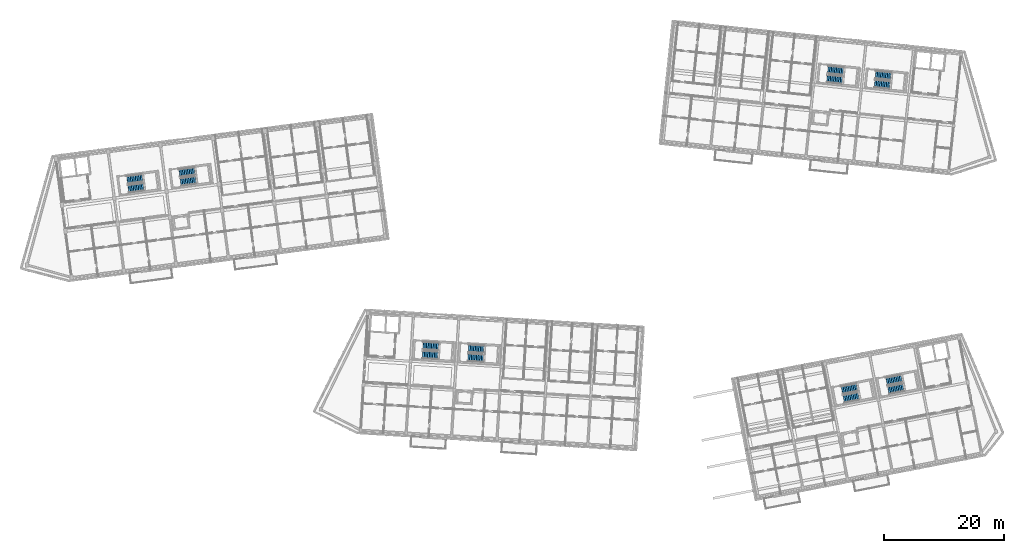
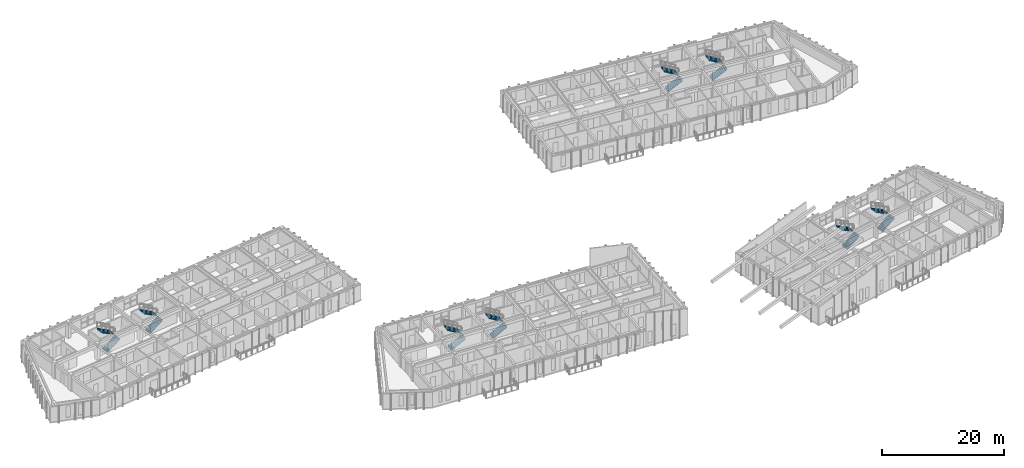
# One storey, part 38 of 64: 16 stair flights, 8 elements without a shape of their own.
"""IFC4 building model written with IfcOpenShell, lengths in metres."""

from ifc_helpers import new_model, si_unit, direction, frame, origin, place, context, subcontext, project, spatial, polyline, outline, extrude, material, type_object, element, aggregate, save


model = new_model("IFC4")

# Units and contexts
model_context = context("Model", 3, precision=1e-05, world=origin(), true_north=direction((0.0, 1.0)))
body_context = subcontext(model_context, "Body", "Model", "MODEL_VIEW")
ifc_project = project(units=[si_unit("LENGTHUNIT", "METRE"), si_unit("AREAUNIT", "SQUARE_METRE"), si_unit("VOLUMEUNIT", "CUBIC_METRE"), si_unit("PLANEANGLEUNIT", "RADIAN"), si_unit("MASSUNIT", "GRAM", prefix="KILO")], contexts=[model_context])

# Site, building, storey
site_placement = place(None, origin())
site = spatial("IfcSite", under=ifc_project, at=site_placement, CompositionType="ELEMENT")
building_placement = place(site_placement, origin())
building = spatial("IfcBuilding", under=site, at=building_placement, Name="Kestramere Prow Commons", CompositionType="ELEMENT")
storey_placement = place(building_placement, frame((0.0, 0.0, 24.64990234375)))
storey = spatial("IfcBuildingStorey", under=building, at=storey_placement, Name="L07", CompositionType="ELEMENT", Elevation=24.64990234375)

# Stair, stair flights
ifc_material = material(Name="Concrete C40/50", Category="concrete")
stair_type = type_object("IfcStairType", Name="ST-DOG-1350", PredefinedType="HALF_TURN_STAIR", material=ifc_material)
stair_1_placement = place(storey_placement, origin())
stair_1 = element("IfcStair", 1, at=stair_1_placement, inside=storey, type_object=stair_type, Name="L07 Block A Exit Stair 1", PredefinedType="HALF_TURN_STAIR")
stair_flight_type = type_object("IfcStairFlightType", Name="SFL-1350", PredefinedType="STRAIGHT", material=ifc_material)
stair_flight_1_placement = place(storey_placement, frame((20.70068359375, 86.79150390625, 0.0), z_axis=(0.0, 0.0, 1.0), x_axis=(0.991444861374, 0.13052619222, 0.0)))
stair_flight_1 = element("IfcStairFlight", 2, at=stair_flight_1_placement, type_object=stair_flight_type, Name="ST-A1 flight 1", NumberOfRisers=10, NumberOfTreads=9, PredefinedType="STRAIGHT", RiserHeight=0.1625, TreadLength=0.28, context=body_context, shape_type="SweptSolid", body=[
    extrude(outline(polyline([(-0.02490234375, 0.0), (0.0, 0.0), (0.0, 0.16259765625), (0.280029296875, 0.16259765625), (0.280029296875, 0.324951171875), (0.56005859375, 0.324951171875), (0.56005859375, 0.487548828125), (0.840087890625, 0.487548828125), (0.840087890625, 0.64990234375), (1.1201171875, 0.64990234375), (1.1201171875, 0.8125), (1.39990234375, 0.8125), (1.39990234375, 0.97509765625), (1.679931640625, 0.97509765625), (1.679931640625, 1.137451171875), (1.9599609375, 1.137451171875), (1.9599609375, 1.300048828125), (2.239990234375, 1.300048828125), (2.239990234375, 1.46240234375), (2.52001953125, 1.46240234375), (2.52001953125, 1.625), (2.544921875, 1.625), (2.544921875, 1.2890625), (0.0, -0.14990234375), (-0.02490234375, -0.14990234375), (-0.02490234375, 0.0)])), frame((0.0, 0.675048828125, 0.0), z_axis=(0.0, -1.0, 0.0), x_axis=(1.0, 0.0, 0.0)), (0.0, 0.0, 1.0), 1.35009765625),
])
stair_flight_2_placement = place(storey_placement, frame((23.003173828125, 88.607666015625, 1.625), z_axis=(0.0, 0.0, 1.0), x_axis=(-0.991444861374, -0.13052619222, 0.0)))
stair_flight_2 = element("IfcStairFlight", 3, at=stair_flight_2_placement, type_object=stair_flight_type, Name="ST-A1 flight 2", NumberOfRisers=10, NumberOfTreads=9, PredefinedType="STRAIGHT", RiserHeight=0.1625, TreadLength=0.28, context=body_context, shape_type="SweptSolid", body=[
    extrude(outline(polyline([(-0.02490234375, 0.0), (0.0, 0.0), (0.0, 0.16259765625), (0.280029296875, 0.16259765625), (0.280029296875, 0.324951171875), (0.56005859375, 0.324951171875), (0.56005859375, 0.487548828125), (0.840087890625, 0.487548828125), (0.840087890625, 0.64990234375), (1.1201171875, 0.64990234375), (1.1201171875, 0.8125), (1.39990234375, 0.8125), (1.39990234375, 0.97509765625), (1.679931640625, 0.97509765625), (1.679931640625, 1.137451171875), (1.9599609375, 1.137451171875), (1.9599609375, 1.300048828125), (2.239990234375, 1.300048828125), (2.239990234375, 1.46240234375), (2.52001953125, 1.46240234375), (2.52001953125, 1.625), (2.544921875, 1.625), (2.544921875, 1.2890625), (0.0, -0.14990234375), (-0.02490234375, -0.14990234375), (-0.02490234375, 0.0)])), frame((0.0, 0.675048828125, 0.0), z_axis=(0.0, -1.0, 0.0), x_axis=(1.0, 0.0, 0.0)), (0.0, 0.0, 1.0), 1.35009765625),
])
aggregate(stair_1, [stair_flight_1, stair_flight_2])

stair_2_placement = place(storey_placement, origin())
stair_2 = element("IfcStair", 4, at=stair_2_placement, inside=storey, type_object=stair_type, Name="L07 Block A Exit Stair 2", PredefinedType="HALF_TURN_STAIR")
stair_flight_3_placement = place(storey_placement, frame((29.42529296875, 87.940185546875, 0.0), z_axis=(0.0, 0.0, 1.0), x_axis=(0.991444861374, 0.13052619222, 0.0)))
stair_flight_3 = element("IfcStairFlight", 5, at=stair_flight_3_placement, type_object=stair_flight_type, Name="ST-A2 flight 1", NumberOfRisers=10, NumberOfTreads=9, PredefinedType="STRAIGHT", RiserHeight=0.1625, TreadLength=0.28, context=body_context, shape_type="SweptSolid", body=[
    extrude(outline(polyline([(-0.02490234375, 0.0), (0.0, 0.0), (0.0, 0.16259765625), (0.280029296875, 0.16259765625), (0.280029296875, 0.324951171875), (0.56005859375, 0.324951171875), (0.56005859375, 0.487548828125), (0.840087890625, 0.487548828125), (0.840087890625, 0.64990234375), (1.1201171875, 0.64990234375), (1.1201171875, 0.8125), (1.39990234375, 0.8125), (1.39990234375, 0.97509765625), (1.679931640625, 0.97509765625), (1.679931640625, 1.137451171875), (1.9599609375, 1.137451171875), (1.9599609375, 1.300048828125), (2.239990234375, 1.300048828125), (2.239990234375, 1.46240234375), (2.52001953125, 1.46240234375), (2.52001953125, 1.625), (2.544921875, 1.625), (2.544921875, 1.2890625), (0.0, -0.14990234375), (-0.02490234375, -0.14990234375), (-0.02490234375, 0.0)])), frame((0.0, 0.675048828125, 0.0), z_axis=(0.0, -1.0, 0.0), x_axis=(1.0, 0.0, 0.0)), (0.0, 0.0, 1.0), 1.35009765625),
])
stair_flight_4_placement = place(storey_placement, frame((31.72802734375, 89.75634765625, 1.625), z_axis=(0.0, 0.0, 1.0), x_axis=(-0.991444861374, -0.13052619222, 0.0)))
stair_flight_4 = element("IfcStairFlight", 6, at=stair_flight_4_placement, type_object=stair_flight_type, Name="ST-A2 flight 2", NumberOfRisers=10, NumberOfTreads=9, PredefinedType="STRAIGHT", RiserHeight=0.1625, TreadLength=0.28, context=body_context, shape_type="SweptSolid", body=[
    extrude(outline(polyline([(-0.02490234375, 0.0), (0.0, 0.0), (0.0, 0.16259765625), (0.280029296875, 0.16259765625), (0.280029296875, 0.324951171875), (0.56005859375, 0.324951171875), (0.56005859375, 0.487548828125), (0.840087890625, 0.487548828125), (0.840087890625, 0.64990234375), (1.1201171875, 0.64990234375), (1.1201171875, 0.8125), (1.39990234375, 0.8125), (1.39990234375, 0.97509765625), (1.679931640625, 0.97509765625), (1.679931640625, 1.137451171875), (1.9599609375, 1.137451171875), (1.9599609375, 1.300048828125), (2.239990234375, 1.300048828125), (2.239990234375, 1.46240234375), (2.52001953125, 1.46240234375), (2.52001953125, 1.625), (2.544921875, 1.625), (2.544921875, 1.2890625), (0.0, -0.14990234375), (-0.02490234375, -0.14990234375), (-0.02490234375, 0.0)])), frame((0.0, 0.675048828125, 0.0), z_axis=(0.0, -1.0, 0.0), x_axis=(1.0, 0.0, 0.0)), (0.0, 0.0, 1.0), 1.35009765625),
])
aggregate(stair_2, [stair_flight_3, stair_flight_4])

stair_3_placement = place(storey_placement, origin())
stair_3 = element("IfcStair", 7, at=stair_3_placement, inside=storey, type_object=stair_type, Name="L07 Block B Exit Stair 1", PredefinedType="HALF_TURN_STAIR")
stair_flight_5_placement = place(storey_placement, frame((137.38916015625, 105.21923828125, 0.0), z_axis=(0.0, 0.0, 1.0), x_axis=(0.994521895368, -0.104528463268, 0.0)))
stair_flight_5 = element("IfcStairFlight", 8, at=stair_flight_5_placement, type_object=stair_flight_type, Name="ST-B1 flight 1", NumberOfRisers=10, NumberOfTreads=9, PredefinedType="STRAIGHT", RiserHeight=0.1625, TreadLength=0.28, context=body_context, shape_type="SweptSolid", body=[
    extrude(outline(polyline([(-0.02490234375, 0.0), (0.0, 0.0), (0.0, 0.16259765625), (0.280029296875, 0.16259765625), (0.280029296875, 0.324951171875), (0.56005859375, 0.324951171875), (0.56005859375, 0.487548828125), (0.840087890625, 0.487548828125), (0.840087890625, 0.64990234375), (1.1201171875, 0.64990234375), (1.1201171875, 0.8125), (1.39990234375, 0.8125), (1.39990234375, 0.97509765625), (1.679931640625, 0.97509765625), (1.679931640625, 1.137451171875), (1.9599609375, 1.137451171875), (1.9599609375, 1.300048828125), (2.239990234375, 1.300048828125), (2.239990234375, 1.46240234375), (2.52001953125, 1.46240234375), (2.52001953125, 1.625), (2.544921875, 1.625), (2.544921875, 1.2890625), (0.0, -0.14990234375), (-0.02490234375, -0.14990234375), (-0.02490234375, 0.0)])), frame((0.0, 0.675048828125, 0.0), z_axis=(0.0, -1.0, 0.0), x_axis=(1.0, 0.0, 0.0)), (0.0, 0.0, 1.0), 1.35009765625),
])
stair_flight_6_placement = place(storey_placement, frame((140.052001953125, 106.447509765625, 1.625), z_axis=(0.0, 0.0, 1.0), x_axis=(-0.994521895368, 0.104528463268, 0.0)))
stair_flight_6 = element("IfcStairFlight", 9, at=stair_flight_6_placement, type_object=stair_flight_type, Name="ST-B1 flight 2", NumberOfRisers=10, NumberOfTreads=9, PredefinedType="STRAIGHT", RiserHeight=0.1625, TreadLength=0.28, context=body_context, shape_type="SweptSolid", body=[
    extrude(outline(polyline([(-0.02490234375, 0.0), (0.0, 0.0), (0.0, 0.16259765625), (0.280029296875, 0.16259765625), (0.280029296875, 0.324951171875), (0.56005859375, 0.324951171875), (0.56005859375, 0.487548828125), (0.840087890625, 0.487548828125), (0.840087890625, 0.64990234375), (1.1201171875, 0.64990234375), (1.1201171875, 0.8125), (1.39990234375, 0.8125), (1.39990234375, 0.97509765625), (1.679931640625, 0.97509765625), (1.679931640625, 1.137451171875), (1.9599609375, 1.137451171875), (1.9599609375, 1.300048828125), (2.239990234375, 1.300048828125), (2.239990234375, 1.46240234375), (2.52001953125, 1.46240234375), (2.52001953125, 1.625), (2.544921875, 1.625), (2.544921875, 1.2890625), (0.0, -0.14990234375), (-0.02490234375, -0.14990234375), (-0.02490234375, 0.0)])), frame((0.0, 0.675048828125, 0.0), z_axis=(0.0, -1.0, 0.0), x_axis=(1.0, 0.0, 0.0)), (0.0, 0.0, 1.0), 1.35009765625),
])
aggregate(stair_3, [stair_flight_5, stair_flight_6])

stair_4_placement = place(storey_placement, origin())
stair_4 = element("IfcStair", 10, at=stair_4_placement, inside=storey, type_object=stair_type, Name="L07 Block B Exit Stair 2", PredefinedType="HALF_TURN_STAIR")
stair_flight_7_placement = place(storey_placement, frame((145.34521484375, 104.3828125, 0.0), z_axis=(0.0, 0.0, 1.0), x_axis=(0.994521895368, -0.104528463268, 0.0)))
stair_flight_7 = element("IfcStairFlight", 11, at=stair_flight_7_placement, type_object=stair_flight_type, Name="ST-B2 flight 1", NumberOfRisers=10, NumberOfTreads=9, PredefinedType="STRAIGHT", RiserHeight=0.1625, TreadLength=0.28, context=body_context, shape_type="SweptSolid", body=[
    extrude(outline(polyline([(-0.02490234375, 0.0), (0.0, 0.0), (0.0, 0.16259765625), (0.280029296875, 0.16259765625), (0.280029296875, 0.324951171875), (0.56005859375, 0.324951171875), (0.56005859375, 0.487548828125), (0.840087890625, 0.487548828125), (0.840087890625, 0.64990234375), (1.1201171875, 0.64990234375), (1.1201171875, 0.8125), (1.39990234375, 0.8125), (1.39990234375, 0.97509765625), (1.679931640625, 0.97509765625), (1.679931640625, 1.137451171875), (1.9599609375, 1.137451171875), (1.9599609375, 1.300048828125), (2.239990234375, 1.300048828125), (2.239990234375, 1.46240234375), (2.52001953125, 1.46240234375), (2.52001953125, 1.625), (2.544921875, 1.625), (2.544921875, 1.2890625), (0.0, -0.14990234375), (-0.02490234375, -0.14990234375), (-0.02490234375, 0.0)])), frame((0.0, 0.675048828125, 0.0), z_axis=(0.0, -1.0, 0.0), x_axis=(1.0, 0.0, 0.0)), (0.0, 0.0, 1.0), 1.35009765625),
])
stair_flight_8_placement = place(storey_placement, frame((148.00830078125, 105.611328125, 1.625), z_axis=(0.0, 0.0, 1.0), x_axis=(-0.994521895368, 0.104528463268, 0.0)))
stair_flight_8 = element("IfcStairFlight", 12, at=stair_flight_8_placement, type_object=stair_flight_type, Name="ST-B2 flight 2", NumberOfRisers=10, NumberOfTreads=9, PredefinedType="STRAIGHT", RiserHeight=0.1625, TreadLength=0.28, context=body_context, shape_type="SweptSolid", body=[
    extrude(outline(polyline([(-0.02490234375, 0.0), (0.0, 0.0), (0.0, 0.16259765625), (0.280029296875, 0.16259765625), (0.280029296875, 0.324951171875), (0.56005859375, 0.324951171875), (0.56005859375, 0.487548828125), (0.840087890625, 0.487548828125), (0.840087890625, 0.64990234375), (1.1201171875, 0.64990234375), (1.1201171875, 0.8125), (1.39990234375, 0.8125), (1.39990234375, 0.97509765625), (1.679931640625, 0.97509765625), (1.679931640625, 1.137451171875), (1.9599609375, 1.137451171875), (1.9599609375, 1.300048828125), (2.239990234375, 1.300048828125), (2.239990234375, 1.46240234375), (2.52001953125, 1.46240234375), (2.52001953125, 1.625), (2.544921875, 1.625), (2.544921875, 1.2890625), (0.0, -0.14990234375), (-0.02490234375, -0.14990234375), (-0.02490234375, 0.0)])), frame((0.0, 0.675048828125, 0.0), z_axis=(0.0, -1.0, 0.0), x_axis=(1.0, 0.0, 0.0)), (0.0, 0.0, 1.0), 1.35009765625),
])
aggregate(stair_4, [stair_flight_7, stair_flight_8])

stair_5_placement = place(storey_placement, origin())
stair_5 = element("IfcStair", 13, at=stair_5_placement, inside=storey, type_object=stair_type, Name="L07 Block C Exit Stair 1", PredefinedType="HALF_TURN_STAIR")
stair_flight_9_placement = place(storey_placement, frame((69.839599609375, 59.117431640625, 0.0), z_axis=(0.0, 0.0, 1.0), x_axis=(0.998134798422, -0.061048539535, 0.0)))
stair_flight_9 = element("IfcStairFlight", 14, at=stair_flight_9_placement, type_object=stair_flight_type, Name="ST-C1 flight 1", NumberOfRisers=10, NumberOfTreads=9, PredefinedType="STRAIGHT", RiserHeight=0.1625, TreadLength=0.28, context=body_context, shape_type="SweptSolid", body=[
    extrude(outline(polyline([(-0.02490234375, 0.0), (0.0, 0.0), (0.0, 0.16259765625), (0.280029296875, 0.16259765625), (0.280029296875, 0.324951171875), (0.56005859375, 0.324951171875), (0.56005859375, 0.487548828125), (0.840087890625, 0.487548828125), (0.840087890625, 0.64990234375), (1.1201171875, 0.64990234375), (1.1201171875, 0.8125), (1.39990234375, 0.8125), (1.39990234375, 0.97509765625), (1.679931640625, 0.97509765625), (1.679931640625, 1.137451171875), (1.9599609375, 1.137451171875), (1.9599609375, 1.300048828125), (2.239990234375, 1.300048828125), (2.239990234375, 1.46240234375), (2.52001953125, 1.46240234375), (2.52001953125, 1.625), (2.544921875, 1.625), (2.544921875, 1.2890625), (0.0, -0.14990234375), (-0.02490234375, -0.14990234375), (-0.02490234375, 0.0)])), frame((0.0, 0.675048828125, 0.0), z_axis=(0.0, -1.0, 0.0), x_axis=(1.0, 0.0, 0.0)), (0.0, 0.0, 1.0), 1.35009765625),
])
stair_flight_10_placement = place(storey_placement, frame((72.446533203125, 60.460693359375, 1.625), z_axis=(0.0, 0.0, 1.0), x_axis=(-0.998134798422, 0.061048539535, 0.0)))
stair_flight_10 = element("IfcStairFlight", 15, at=stair_flight_10_placement, type_object=stair_flight_type, Name="ST-C1 flight 2", NumberOfRisers=10, NumberOfTreads=9, PredefinedType="STRAIGHT", RiserHeight=0.1625, TreadLength=0.28, context=body_context, shape_type="SweptSolid", body=[
    extrude(outline(polyline([(-0.02490234375, 0.0), (0.0, 0.0), (0.0, 0.16259765625), (0.280029296875, 0.16259765625), (0.280029296875, 0.324951171875), (0.56005859375, 0.324951171875), (0.56005859375, 0.487548828125), (0.840087890625, 0.487548828125), (0.840087890625, 0.64990234375), (1.1201171875, 0.64990234375), (1.1201171875, 0.8125), (1.39990234375, 0.8125), (1.39990234375, 0.97509765625), (1.679931640625, 0.97509765625), (1.679931640625, 1.137451171875), (1.9599609375, 1.137451171875), (1.9599609375, 1.300048828125), (2.239990234375, 1.300048828125), (2.239990234375, 1.46240234375), (2.52001953125, 1.46240234375), (2.52001953125, 1.625), (2.544921875, 1.625), (2.544921875, 1.2890625), (0.0, -0.14990234375), (-0.02490234375, -0.14990234375), (-0.02490234375, 0.0)])), frame((0.0, 0.675048828125, 0.0), z_axis=(0.0, -1.0, 0.0), x_axis=(1.0, 0.0, 0.0)), (0.0, 0.0, 1.0), 1.35009765625),
])
aggregate(stair_5, [stair_flight_9, stair_flight_10])

stair_6_placement = place(storey_placement, origin())
stair_6 = element("IfcStair", 16, at=stair_6_placement, inside=storey, type_object=stair_type, Name="L07 Block C Exit Stair 2", PredefinedType="HALF_TURN_STAIR")
stair_flight_11_placement = place(storey_placement, frame((77.42529296875, 58.6533203125, 0.0), z_axis=(0.0, 0.0, 1.0), x_axis=(0.998134798422, -0.061048539535, 0.0)))
stair_flight_11 = element("IfcStairFlight", 17, at=stair_flight_11_placement, type_object=stair_flight_type, Name="ST-C2 flight 1", NumberOfRisers=10, NumberOfTreads=9, PredefinedType="STRAIGHT", RiserHeight=0.1625, TreadLength=0.28, context=body_context, shape_type="SweptSolid", body=[
    extrude(outline(polyline([(-0.02490234375, 0.0), (0.0, 0.0), (0.0, 0.16259765625), (0.280029296875, 0.16259765625), (0.280029296875, 0.324951171875), (0.56005859375, 0.324951171875), (0.56005859375, 0.487548828125), (0.840087890625, 0.487548828125), (0.840087890625, 0.64990234375), (1.1201171875, 0.64990234375), (1.1201171875, 0.8125), (1.39990234375, 0.8125), (1.39990234375, 0.97509765625), (1.679931640625, 0.97509765625), (1.679931640625, 1.137451171875), (1.9599609375, 1.137451171875), (1.9599609375, 1.300048828125), (2.239990234375, 1.300048828125), (2.239990234375, 1.46240234375), (2.52001953125, 1.46240234375), (2.52001953125, 1.625), (2.544921875, 1.625), (2.544921875, 1.2890625), (0.0, -0.14990234375), (-0.02490234375, -0.14990234375), (-0.02490234375, 0.0)])), frame((0.0, 0.675048828125, 0.0), z_axis=(0.0, -1.0, 0.0), x_axis=(1.0, 0.0, 0.0)), (0.0, 0.0, 1.0), 1.35009765625),
])
stair_flight_12_placement = place(storey_placement, frame((80.0322265625, 59.996826171875, 1.625), z_axis=(0.0, 0.0, 1.0), x_axis=(-0.998134798422, 0.061048539535, 0.0)))
stair_flight_12 = element("IfcStairFlight", 18, at=stair_flight_12_placement, type_object=stair_flight_type, Name="ST-C2 flight 2", NumberOfRisers=10, NumberOfTreads=9, PredefinedType="STRAIGHT", RiserHeight=0.1625, TreadLength=0.28, context=body_context, shape_type="SweptSolid", body=[
    extrude(outline(polyline([(-0.02490234375, 0.0), (0.0, 0.0), (0.0, 0.16259765625), (0.280029296875, 0.16259765625), (0.280029296875, 0.324951171875), (0.56005859375, 0.324951171875), (0.56005859375, 0.487548828125), (0.840087890625, 0.487548828125), (0.840087890625, 0.64990234375), (1.1201171875, 0.64990234375), (1.1201171875, 0.8125), (1.39990234375, 0.8125), (1.39990234375, 0.97509765625), (1.679931640625, 0.97509765625), (1.679931640625, 1.137451171875), (1.9599609375, 1.137451171875), (1.9599609375, 1.300048828125), (2.239990234375, 1.300048828125), (2.239990234375, 1.46240234375), (2.52001953125, 1.46240234375), (2.52001953125, 1.625), (2.544921875, 1.625), (2.544921875, 1.2890625), (0.0, -0.14990234375), (-0.02490234375, -0.14990234375), (-0.02490234375, 0.0)])), frame((0.0, 0.675048828125, 0.0), z_axis=(0.0, -1.0, 0.0), x_axis=(1.0, 0.0, 0.0)), (0.0, 0.0, 1.0), 1.35009765625),
])
aggregate(stair_6, [stair_flight_11, stair_flight_12])

stair_7_placement = place(storey_placement, origin())
stair_7 = element("IfcStair", 19, at=stair_7_placement, inside=storey, type_object=stair_type, Name="L07 Block D Exit Stair 1", PredefinedType="HALF_TURN_STAIR")
stair_flight_13_placement = place(storey_placement, frame((140.171875, 51.70458984375, 0.0), z_axis=(0.0, 0.0, 1.0), x_axis=(0.981627183448, 0.190808995377, 0.0)))
stair_flight_13 = element("IfcStairFlight", 20, at=stair_flight_13_placement, type_object=stair_flight_type, Name="ST-D1 flight 1", NumberOfRisers=10, NumberOfTreads=9, PredefinedType="STRAIGHT", RiserHeight=0.1625, TreadLength=0.28, context=body_context, shape_type="SweptSolid", body=[
    extrude(outline(polyline([(-0.02490234375, 0.0), (0.0, 0.0), (0.0, 0.16259765625), (0.280029296875, 0.16259765625), (0.280029296875, 0.324951171875), (0.56005859375, 0.324951171875), (0.56005859375, 0.487548828125), (0.840087890625, 0.487548828125), (0.840087890625, 0.64990234375), (1.1201171875, 0.64990234375), (1.1201171875, 0.8125), (1.39990234375, 0.8125), (1.39990234375, 0.97509765625), (1.679931640625, 0.97509765625), (1.679931640625, 1.137451171875), (1.9599609375, 1.137451171875), (1.9599609375, 1.300048828125), (2.239990234375, 1.300048828125), (2.239990234375, 1.46240234375), (2.52001953125, 1.46240234375), (2.52001953125, 1.625), (2.544921875, 1.625), (2.544921875, 1.2890625), (0.0, -0.14990234375), (-0.02490234375, -0.14990234375), (-0.02490234375, 0.0)])), frame((0.0, 0.675048828125, 0.0), z_axis=(0.0, -1.0, 0.0), x_axis=(1.0, 0.0, 0.0)), (0.0, 0.0, 1.0), 1.35009765625),
])
stair_flight_14_placement = place(storey_placement, frame((142.359375, 53.65771484375, 1.625), z_axis=(0.0, 0.0, 1.0), x_axis=(-0.981627183448, -0.190808995377, 0.0)))
stair_flight_14 = element("IfcStairFlight", 21, at=stair_flight_14_placement, type_object=stair_flight_type, Name="ST-D1 flight 2", NumberOfRisers=10, NumberOfTreads=9, PredefinedType="STRAIGHT", RiserHeight=0.1625, TreadLength=0.28, context=body_context, shape_type="SweptSolid", body=[
    extrude(outline(polyline([(-0.02490234375, 0.0), (0.0, 0.0), (0.0, 0.16259765625), (0.280029296875, 0.16259765625), (0.280029296875, 0.324951171875), (0.56005859375, 0.324951171875), (0.56005859375, 0.487548828125), (0.840087890625, 0.487548828125), (0.840087890625, 0.64990234375), (1.1201171875, 0.64990234375), (1.1201171875, 0.8125), (1.39990234375, 0.8125), (1.39990234375, 0.97509765625), (1.679931640625, 0.97509765625), (1.679931640625, 1.137451171875), (1.9599609375, 1.137451171875), (1.9599609375, 1.300048828125), (2.239990234375, 1.300048828125), (2.239990234375, 1.46240234375), (2.52001953125, 1.46240234375), (2.52001953125, 1.625), (2.544921875, 1.625), (2.544921875, 1.2890625), (0.0, -0.14990234375), (-0.02490234375, -0.14990234375), (-0.02490234375, 0.0)])), frame((0.0, 0.675048828125, 0.0), z_axis=(0.0, -1.0, 0.0), x_axis=(1.0, 0.0, 0.0)), (0.0, 0.0, 1.0), 1.35009765625),
])
aggregate(stair_7, [stair_flight_13, stair_flight_14])

stair_8_placement = place(storey_placement, origin())
stair_8 = element("IfcStair", 22, at=stair_8_placement, inside=storey, type_object=stair_type, Name="L07 Block D Exit Stair 2", PredefinedType="HALF_TURN_STAIR")
stair_flight_15_placement = place(storey_placement, frame((147.632080078125, 53.15478515625, 0.0), z_axis=(0.0, 0.0, 1.0), x_axis=(0.981627183448, 0.190808995377, 0.0)))
stair_flight_15 = element("IfcStairFlight", 23, at=stair_flight_15_placement, type_object=stair_flight_type, Name="ST-D2 flight 1", NumberOfRisers=10, NumberOfTreads=9, PredefinedType="STRAIGHT", RiserHeight=0.1625, TreadLength=0.28, context=body_context, shape_type="SweptSolid", body=[
    extrude(outline(polyline([(-0.02490234375, 0.0), (0.0, 0.0), (0.0, 0.16259765625), (0.280029296875, 0.16259765625), (0.280029296875, 0.324951171875), (0.56005859375, 0.324951171875), (0.56005859375, 0.487548828125), (0.840087890625, 0.487548828125), (0.840087890625, 0.64990234375), (1.1201171875, 0.64990234375), (1.1201171875, 0.8125), (1.39990234375, 0.8125), (1.39990234375, 0.97509765625), (1.679931640625, 0.97509765625), (1.679931640625, 1.137451171875), (1.9599609375, 1.137451171875), (1.9599609375, 1.300048828125), (2.239990234375, 1.300048828125), (2.239990234375, 1.46240234375), (2.52001953125, 1.46240234375), (2.52001953125, 1.625), (2.544921875, 1.625), (2.544921875, 1.2890625), (0.0, -0.14990234375), (-0.02490234375, -0.14990234375), (-0.02490234375, 0.0)])), frame((0.0, 0.675048828125, 0.0), z_axis=(0.0, -1.0, 0.0), x_axis=(1.0, 0.0, 0.0)), (0.0, 0.0, 1.0), 1.35009765625),
])
stair_flight_16_placement = place(storey_placement, frame((149.819580078125, 55.10791015625, 1.625), z_axis=(0.0, 0.0, 1.0), x_axis=(-0.981627183448, -0.190808995377, 0.0)))
stair_flight_16 = element("IfcStairFlight", 24, at=stair_flight_16_placement, type_object=stair_flight_type, Name="ST-D2 flight 2", NumberOfRisers=10, NumberOfTreads=9, PredefinedType="STRAIGHT", RiserHeight=0.1625, TreadLength=0.28, context=body_context, shape_type="SweptSolid", body=[
    extrude(outline(polyline([(-0.02490234375, 0.0), (0.0, 0.0), (0.0, 0.16259765625), (0.280029296875, 0.16259765625), (0.280029296875, 0.324951171875), (0.56005859375, 0.324951171875), (0.56005859375, 0.487548828125), (0.840087890625, 0.487548828125), (0.840087890625, 0.64990234375), (1.1201171875, 0.64990234375), (1.1201171875, 0.8125), (1.39990234375, 0.8125), (1.39990234375, 0.97509765625), (1.679931640625, 0.97509765625), (1.679931640625, 1.137451171875), (1.9599609375, 1.137451171875), (1.9599609375, 1.300048828125), (2.239990234375, 1.300048828125), (2.239990234375, 1.46240234375), (2.52001953125, 1.46240234375), (2.52001953125, 1.625), (2.544921875, 1.625), (2.544921875, 1.2890625), (0.0, -0.14990234375), (-0.02490234375, -0.14990234375), (-0.02490234375, 0.0)])), frame((0.0, 0.675048828125, 0.0), z_axis=(0.0, -1.0, 0.0), x_axis=(1.0, 0.0, 0.0)), (0.0, 0.0, 1.0), 1.35009765625),
])
aggregate(stair_8, [stair_flight_15, stair_flight_16])

save(model, "model.ifc")
